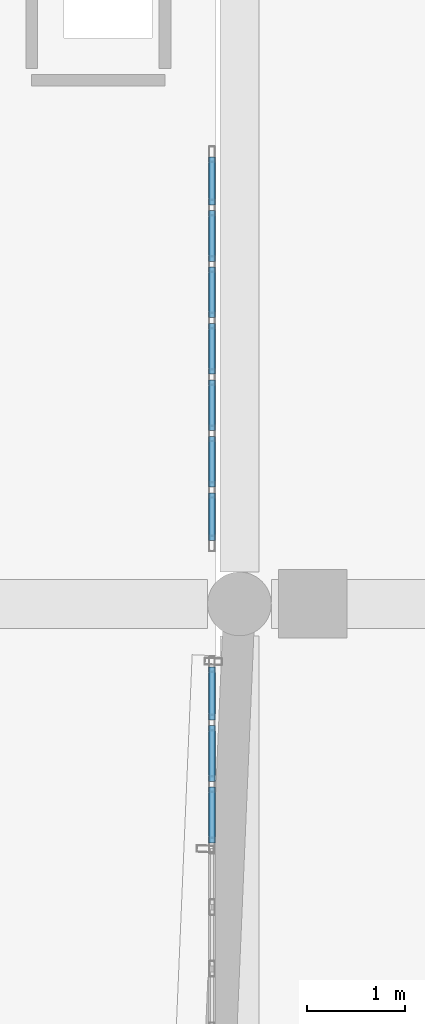
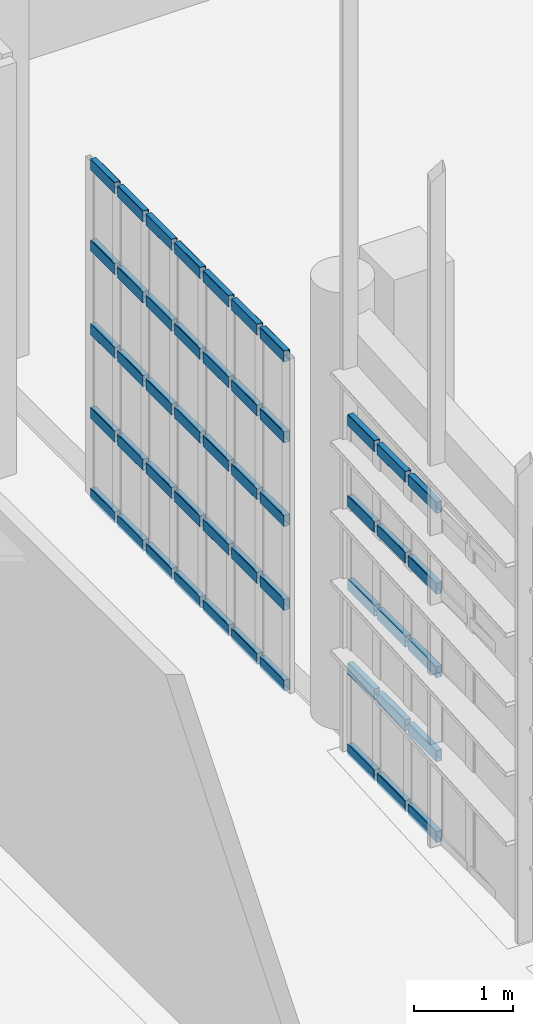
# One storey, part 309 of 372: 50 members, 2 elements without a shape of their own.
"""IFC4 building model written with IfcOpenShell, lengths in metres."""

from ifc_helpers import new_model, si_unit, direction, frame, origin, origin_2d, place, context, subcontext, project, spatial, hollow_rectangle, extrude, material, material_profile, profile_set, type_object, element, aggregate, save


model = new_model("IFC4")

# Units and contexts
model_context = context("Model", 3, precision=1e-05, world=origin(), true_north=direction((0.0, 1.0)))
body_context = subcontext(model_context, "Body", "Model", "MODEL_VIEW")
ifc_project = project(units=[si_unit("LENGTHUNIT", "METRE"), si_unit("AREAUNIT", "SQUARE_METRE"), si_unit("VOLUMEUNIT", "CUBIC_METRE"), si_unit("PLANEANGLEUNIT", "RADIAN"), si_unit("MASSUNIT", "GRAM", prefix="KILO")], contexts=[model_context])

# Site, building, storey
site_placement = place(None, origin())
site = spatial("IfcSite", under=ifc_project, at=site_placement, CompositionType="ELEMENT")
building_placement = place(site_placement, origin())
building = spatial("IfcBuilding", under=site, at=building_placement, Name="Kaelora Sail Theatre", CompositionType="ELEMENT")
storey_placement = place(building_placement, origin())
storey = spatial("IfcBuildingStorey", under=building, at=storey_placement, Name="L00", CompositionType="ELEMENT", Elevation=0.0)

# Curtain wall, members
ifc_material_1 = material(Name="Anodised aluminium and solar-control low-E IGU", Category="aluminium")
curtain_wall_type = type_object("IfcCurtainWallType", Name="ARC-CW-CW-FOY2", PredefinedType="NOTDEFINED", material=ifc_material_1)
curtain_wall_1_placement = place(storey_placement, origin())
curtain_wall_1 = element("IfcCurtainWall", 1, at=curtain_wall_1_placement, inside=storey, type_object=curtain_wall_type, Name="East Interstitial Foyer East Glazed Return L00-03", PredefinedType="NOTDEFINED")
ifc_material_2 = material(Name="Anodised aluminium 6063-T6", Category="aluminium")
ifc_material_profile = material_profile(ifc_material_2, hollow_rectangle(XDim=0.070068359375, YDim=0.139892578125, WallThickness=0.00390625, InnerFilletRadius=0.00390625, OuterFilletRadius=0.008056640625, at=origin_2d()), Name="ALU-TRAN 70x140x4")
ifc_profile_set = profile_set([ifc_material_profile], Name="Anodised aluminium 6063-T6")
member_type = type_object("IfcMemberType", Name="ARC-MEM-TR-140", PredefinedType="USERDEFINED", material=ifc_profile_set)
member_1_placement = place(storey_placement, frame((122.719970703125, 51.141357421875, 0.034912109375), z_axis=(0.0, 1.0, 0.0), x_axis=(-1.0, 0.0, 0.0)))
member_1 = element("IfcMember", 2, at=member_1_placement, type_object=member_type, Name="CW-FOY2 transom 5.1", ObjectType="TRANSOM", PredefinedType="USERDEFINED", context=body_context, shape_type="SweptSolid", body=[
    extrude(hollow_rectangle(XDim=0.070068359375, YDim=0.139892578125, WallThickness=0.00390625, InnerFilletRadius=0.00390625, OuterFilletRadius=0.008056640625, at=origin_2d()), origin(), (0.0, 0.0, 1.0), 0.56787109375),
])
member_2_placement = place(storey_placement, frame((122.719970703125, 51.141357421875, 1.0341796875), z_axis=(0.0, 1.0, 0.0), x_axis=(-1.0, 0.0, 0.0)))
member_2 = element("IfcMember", 3, at=member_2_placement, type_object=member_type, Name="CW-FOY2 transom 5.2", ObjectType="TRANSOM", PredefinedType="USERDEFINED", context=body_context, shape_type="SweptSolid", body=[
    extrude(hollow_rectangle(XDim=0.070068359375, YDim=0.139892578125, WallThickness=0.00390625, InnerFilletRadius=0.00390625, OuterFilletRadius=0.008056640625, at=origin_2d()), origin(), (0.0, 0.0, 1.0), 0.56787109375),
])
member_3_placement = place(storey_placement, frame((122.719970703125, 51.141357421875, 2.068603515625), z_axis=(0.0, 1.0, 0.0), x_axis=(-1.0, 0.0, 0.0)))
member_3 = element("IfcMember", 4, at=member_3_placement, type_object=member_type, Name="CW-FOY2 transom 5.3", ObjectType="TRANSOM", PredefinedType="USERDEFINED", context=body_context, shape_type="SweptSolid", body=[
    extrude(hollow_rectangle(XDim=0.070068359375, YDim=0.139892578125, WallThickness=0.00390625, InnerFilletRadius=0.00390625, OuterFilletRadius=0.008056640625, at=origin_2d()), origin(), (0.0, 0.0, 1.0), 0.56787109375),
])
member_4_placement = place(storey_placement, frame((122.719970703125, 51.141357421875, 3.102783203125), z_axis=(0.0, 1.0, 0.0), x_axis=(-1.0, 0.0, 0.0)))
member_4 = element("IfcMember", 5, at=member_4_placement, type_object=member_type, Name="CW-FOY2 transom 5.4", ObjectType="TRANSOM", PredefinedType="USERDEFINED", context=body_context, shape_type="SweptSolid", body=[
    extrude(hollow_rectangle(XDim=0.070068359375, YDim=0.139892578125, WallThickness=0.00390625, InnerFilletRadius=0.00390625, OuterFilletRadius=0.008056640625, at=origin_2d()), origin(), (0.0, 0.0, 1.0), 0.56787109375),
])
member_5_placement = place(storey_placement, frame((122.719970703125, 51.141357421875, 4.10205078125), z_axis=(0.0, 1.0, 0.0), x_axis=(-1.0, 0.0, 0.0)))
member_5 = element("IfcMember", 6, at=member_5_placement, type_object=member_type, Name="CW-FOY2 transom 5.5", ObjectType="TRANSOM", PredefinedType="USERDEFINED", context=body_context, shape_type="SweptSolid", body=[
    extrude(hollow_rectangle(XDim=0.070068359375, YDim=0.139892578125, WallThickness=0.00390625, InnerFilletRadius=0.00390625, OuterFilletRadius=0.008056640625, at=origin_2d()), origin(), (0.0, 0.0, 1.0), 0.56787109375),
])
member_6_placement = place(storey_placement, frame((122.719970703125, 51.769287109375, 0.034912109375), z_axis=(0.0, 1.0, 0.0), x_axis=(-1.0, 0.0, 0.0)))
member_6 = element("IfcMember", 7, at=member_6_placement, type_object=member_type, Name="CW-FOY2 transom 6.1", ObjectType="TRANSOM", PredefinedType="USERDEFINED", context=body_context, shape_type="SweptSolid", body=[
    extrude(hollow_rectangle(XDim=0.070068359375, YDim=0.139892578125, WallThickness=0.00390625, InnerFilletRadius=0.00390625, OuterFilletRadius=0.008056640625, at=origin_2d()), origin(), (0.0, 0.0, 1.0), 0.56787109375),
])
member_7_placement = place(storey_placement, frame((122.719970703125, 51.769287109375, 1.0341796875), z_axis=(0.0, 1.0, 0.0), x_axis=(-1.0, 0.0, 0.0)))
member_7 = element("IfcMember", 8, at=member_7_placement, type_object=member_type, Name="CW-FOY2 transom 6.2", ObjectType="TRANSOM", PredefinedType="USERDEFINED", context=body_context, shape_type="SweptSolid", body=[
    extrude(hollow_rectangle(XDim=0.070068359375, YDim=0.139892578125, WallThickness=0.00390625, InnerFilletRadius=0.00390625, OuterFilletRadius=0.008056640625, at=origin_2d()), origin(), (0.0, 0.0, 1.0), 0.56787109375),
])
member_8_placement = place(storey_placement, frame((122.719970703125, 51.769287109375, 2.068603515625), z_axis=(0.0, 1.0, 0.0), x_axis=(-1.0, 0.0, 0.0)))
member_8 = element("IfcMember", 9, at=member_8_placement, type_object=member_type, Name="CW-FOY2 transom 6.3", ObjectType="TRANSOM", PredefinedType="USERDEFINED", context=body_context, shape_type="SweptSolid", body=[
    extrude(hollow_rectangle(XDim=0.070068359375, YDim=0.139892578125, WallThickness=0.00390625, InnerFilletRadius=0.00390625, OuterFilletRadius=0.008056640625, at=origin_2d()), origin(), (0.0, 0.0, 1.0), 0.56787109375),
])
member_9_placement = place(storey_placement, frame((122.719970703125, 51.769287109375, 3.102783203125), z_axis=(0.0, 1.0, 0.0), x_axis=(-1.0, 0.0, 0.0)))
member_9 = element("IfcMember", 10, at=member_9_placement, type_object=member_type, Name="CW-FOY2 transom 6.4", ObjectType="TRANSOM", PredefinedType="USERDEFINED", context=body_context, shape_type="SweptSolid", body=[
    extrude(hollow_rectangle(XDim=0.070068359375, YDim=0.139892578125, WallThickness=0.00390625, InnerFilletRadius=0.00390625, OuterFilletRadius=0.008056640625, at=origin_2d()), origin(), (0.0, 0.0, 1.0), 0.56787109375),
])
member_10_placement = place(storey_placement, frame((122.719970703125, 51.769287109375, 4.10205078125), z_axis=(0.0, 1.0, 0.0), x_axis=(-1.0, 0.0, 0.0)))
member_10 = element("IfcMember", 11, at=member_10_placement, type_object=member_type, Name="CW-FOY2 transom 6.5", ObjectType="TRANSOM", PredefinedType="USERDEFINED", context=body_context, shape_type="SweptSolid", body=[
    extrude(hollow_rectangle(XDim=0.070068359375, YDim=0.139892578125, WallThickness=0.00390625, InnerFilletRadius=0.00390625, OuterFilletRadius=0.008056640625, at=origin_2d()), origin(), (0.0, 0.0, 1.0), 0.56787109375),
])
member_11_placement = place(storey_placement, frame((122.719970703125, 52.397216796875, 0.034912109375), z_axis=(0.0, 1.0, 0.0), x_axis=(-1.0, 0.0, 0.0)))
member_11 = element("IfcMember", 12, at=member_11_placement, type_object=member_type, Name="CW-FOY2 transom 7.1", ObjectType="TRANSOM", PredefinedType="USERDEFINED", context=body_context, shape_type="SweptSolid", body=[
    extrude(hollow_rectangle(XDim=0.070068359375, YDim=0.139892578125, WallThickness=0.00390625, InnerFilletRadius=0.00390625, OuterFilletRadius=0.008056640625, at=origin_2d()), origin(), (0.0, 0.0, 1.0), 0.537841796875),
])
member_12_placement = place(storey_placement, frame((122.719970703125, 52.397216796875, 1.0341796875), z_axis=(0.0, 1.0, 0.0), x_axis=(-1.0, 0.0, 0.0)))
member_12 = element("IfcMember", 13, at=member_12_placement, type_object=member_type, Name="CW-FOY2 transom 7.2", ObjectType="TRANSOM", PredefinedType="USERDEFINED", context=body_context, shape_type="SweptSolid", body=[
    extrude(hollow_rectangle(XDim=0.070068359375, YDim=0.139892578125, WallThickness=0.00390625, InnerFilletRadius=0.00390625, OuterFilletRadius=0.008056640625, at=origin_2d()), origin(), (0.0, 0.0, 1.0), 0.537841796875),
])
member_13_placement = place(storey_placement, frame((122.719970703125, 52.397216796875, 2.068603515625), z_axis=(0.0, 1.0, 0.0), x_axis=(-1.0, 0.0, 0.0)))
member_13 = element("IfcMember", 14, at=member_13_placement, type_object=member_type, Name="CW-FOY2 transom 7.3", ObjectType="TRANSOM", PredefinedType="USERDEFINED", context=body_context, shape_type="SweptSolid", body=[
    extrude(hollow_rectangle(XDim=0.070068359375, YDim=0.139892578125, WallThickness=0.00390625, InnerFilletRadius=0.00390625, OuterFilletRadius=0.008056640625, at=origin_2d()), origin(), (0.0, 0.0, 1.0), 0.537841796875),
])
member_14_placement = place(storey_placement, frame((122.719970703125, 52.397216796875, 3.102783203125), z_axis=(0.0, 1.0, 0.0), x_axis=(-1.0, 0.0, 0.0)))
member_14 = element("IfcMember", 15, at=member_14_placement, type_object=member_type, Name="CW-FOY2 transom 7.4", ObjectType="TRANSOM", PredefinedType="USERDEFINED", context=body_context, shape_type="SweptSolid", body=[
    extrude(hollow_rectangle(XDim=0.070068359375, YDim=0.139892578125, WallThickness=0.00390625, InnerFilletRadius=0.00390625, OuterFilletRadius=0.008056640625, at=origin_2d()), origin(), (0.0, 0.0, 1.0), 0.537841796875),
])
member_15_placement = place(storey_placement, frame((122.719970703125, 52.397216796875, 4.10205078125), z_axis=(0.0, 1.0, 0.0), x_axis=(-1.0, 0.0, 0.0)))
member_15 = element("IfcMember", 16, at=member_15_placement, type_object=member_type, Name="CW-FOY2 transom 7.5", ObjectType="TRANSOM", PredefinedType="USERDEFINED", context=body_context, shape_type="SweptSolid", body=[
    extrude(hollow_rectangle(XDim=0.070068359375, YDim=0.139892578125, WallThickness=0.00390625, InnerFilletRadius=0.00390625, OuterFilletRadius=0.008056640625, at=origin_2d()), origin(), (0.0, 0.0, 1.0), 0.537841796875),
])
aggregate(curtain_wall_1, [member_1, member_2, member_3, member_4, member_5, member_6, member_7, member_8, member_9, member_10, member_11, member_12, member_13, member_14, member_15])

curtain_wall_2_placement = place(storey_placement, origin())
curtain_wall_2 = element("IfcCurtainWall", 17, at=curtain_wall_2_placement, inside=storey, type_object=curtain_wall_type, Name="East Interstitial Foyer East Glazed Return L00-04", PredefinedType="NOTDEFINED")
member_16_placement = place(storey_placement, frame((122.719970703125, 54.22509765625, 0.034912109375), z_axis=(0.0, 1.0, 0.0), x_axis=(-1.0, 0.0, 0.0)))
member_16 = element("IfcMember", 18, at=member_16_placement, type_object=member_type, Name="CW-FOY2 transom 1.1", ObjectType="TRANSOM", PredefinedType="USERDEFINED", context=body_context, shape_type="SweptSolid", body=[
    extrude(hollow_rectangle(XDim=0.070068359375, YDim=0.139892578125, WallThickness=0.00390625, InnerFilletRadius=0.00390625, OuterFilletRadius=0.008056640625, at=origin_2d()), origin(), (0.0, 0.0, 1.0), 0.486328125),
])
member_17_placement = place(storey_placement, frame((122.719970703125, 54.22509765625, 1.0341796875), z_axis=(0.0, 1.0, 0.0), x_axis=(-1.0, 0.0, 0.0)))
member_17 = element("IfcMember", 19, at=member_17_placement, type_object=member_type, Name="CW-FOY2 transom 1.2", ObjectType="TRANSOM", PredefinedType="USERDEFINED", context=body_context, shape_type="SweptSolid", body=[
    extrude(hollow_rectangle(XDim=0.070068359375, YDim=0.139892578125, WallThickness=0.00390625, InnerFilletRadius=0.00390625, OuterFilletRadius=0.008056640625, at=origin_2d()), origin(), (0.0, 0.0, 1.0), 0.486328125),
])
member_18_placement = place(storey_placement, frame((122.719970703125, 54.22509765625, 2.068603515625), z_axis=(0.0, 1.0, 0.0), x_axis=(-1.0, 0.0, 0.0)))
member_18 = element("IfcMember", 20, at=member_18_placement, type_object=member_type, Name="CW-FOY2 transom 1.3", ObjectType="TRANSOM", PredefinedType="USERDEFINED", context=body_context, shape_type="SweptSolid", body=[
    extrude(hollow_rectangle(XDim=0.070068359375, YDim=0.139892578125, WallThickness=0.00390625, InnerFilletRadius=0.00390625, OuterFilletRadius=0.008056640625, at=origin_2d()), origin(), (0.0, 0.0, 1.0), 0.486328125),
])
member_19_placement = place(storey_placement, frame((122.719970703125, 54.22509765625, 3.102783203125), z_axis=(0.0, 1.0, 0.0), x_axis=(-1.0, 0.0, 0.0)))
member_19 = element("IfcMember", 21, at=member_19_placement, type_object=member_type, Name="CW-FOY2 transom 1.4", ObjectType="TRANSOM", PredefinedType="USERDEFINED", context=body_context, shape_type="SweptSolid", body=[
    extrude(hollow_rectangle(XDim=0.070068359375, YDim=0.139892578125, WallThickness=0.00390625, InnerFilletRadius=0.00390625, OuterFilletRadius=0.008056640625, at=origin_2d()), origin(), (0.0, 0.0, 1.0), 0.486328125),
])
member_20_placement = place(storey_placement, frame((122.719970703125, 54.22509765625, 4.10205078125), z_axis=(0.0, 1.0, 0.0), x_axis=(-1.0, 0.0, 0.0)))
member_20 = element("IfcMember", 22, at=member_20_placement, type_object=member_type, Name="CW-FOY2 transom 1.5", ObjectType="TRANSOM", PredefinedType="USERDEFINED", context=body_context, shape_type="SweptSolid", body=[
    extrude(hollow_rectangle(XDim=0.070068359375, YDim=0.139892578125, WallThickness=0.00390625, InnerFilletRadius=0.00390625, OuterFilletRadius=0.008056640625, at=origin_2d()), origin(), (0.0, 0.0, 1.0), 0.486328125),
])
member_21_placement = place(storey_placement, frame((122.719970703125, 54.771484375, 0.034912109375), z_axis=(0.0, 1.0, 0.0), x_axis=(-1.0, 0.0, 0.0)))
member_21 = element("IfcMember", 23, at=member_21_placement, type_object=member_type, Name="CW-FOY2 transom 2.1", ObjectType="TRANSOM", PredefinedType="USERDEFINED", context=body_context, shape_type="SweptSolid", body=[
    extrude(hollow_rectangle(XDim=0.070068359375, YDim=0.139892578125, WallThickness=0.00390625, InnerFilletRadius=0.00390625, OuterFilletRadius=0.008056640625, at=origin_2d()), origin(), (0.0, 0.0, 1.0), 0.516357421875),
])
member_22_placement = place(storey_placement, frame((122.719970703125, 54.771484375, 1.0341796875), z_axis=(0.0, 1.0, 0.0), x_axis=(-1.0, 0.0, 0.0)))
member_22 = element("IfcMember", 24, at=member_22_placement, type_object=member_type, Name="CW-FOY2 transom 2.2", ObjectType="TRANSOM", PredefinedType="USERDEFINED", context=body_context, shape_type="SweptSolid", body=[
    extrude(hollow_rectangle(XDim=0.070068359375, YDim=0.139892578125, WallThickness=0.00390625, InnerFilletRadius=0.00390625, OuterFilletRadius=0.008056640625, at=origin_2d()), origin(), (0.0, 0.0, 1.0), 0.516357421875),
])
member_23_placement = place(storey_placement, frame((122.719970703125, 54.771484375, 2.068603515625), z_axis=(0.0, 1.0, 0.0), x_axis=(-1.0, 0.0, 0.0)))
member_23 = element("IfcMember", 25, at=member_23_placement, type_object=member_type, Name="CW-FOY2 transom 2.3", ObjectType="TRANSOM", PredefinedType="USERDEFINED", context=body_context, shape_type="SweptSolid", body=[
    extrude(hollow_rectangle(XDim=0.070068359375, YDim=0.139892578125, WallThickness=0.00390625, InnerFilletRadius=0.00390625, OuterFilletRadius=0.008056640625, at=origin_2d()), origin(), (0.0, 0.0, 1.0), 0.516357421875),
])
member_24_placement = place(storey_placement, frame((122.719970703125, 54.771484375, 3.102783203125), z_axis=(0.0, 1.0, 0.0), x_axis=(-1.0, 0.0, 0.0)))
member_24 = element("IfcMember", 26, at=member_24_placement, type_object=member_type, Name="CW-FOY2 transom 2.4", ObjectType="TRANSOM", PredefinedType="USERDEFINED", context=body_context, shape_type="SweptSolid", body=[
    extrude(hollow_rectangle(XDim=0.070068359375, YDim=0.139892578125, WallThickness=0.00390625, InnerFilletRadius=0.00390625, OuterFilletRadius=0.008056640625, at=origin_2d()), origin(), (0.0, 0.0, 1.0), 0.516357421875),
])
member_25_placement = place(storey_placement, frame((122.719970703125, 54.771484375, 4.10205078125), z_axis=(0.0, 1.0, 0.0), x_axis=(-1.0, 0.0, 0.0)))
member_25 = element("IfcMember", 27, at=member_25_placement, type_object=member_type, Name="CW-FOY2 transom 2.5", ObjectType="TRANSOM", PredefinedType="USERDEFINED", context=body_context, shape_type="SweptSolid", body=[
    extrude(hollow_rectangle(XDim=0.070068359375, YDim=0.139892578125, WallThickness=0.00390625, InnerFilletRadius=0.00390625, OuterFilletRadius=0.008056640625, at=origin_2d()), origin(), (0.0, 0.0, 1.0), 0.516357421875),
])
member_26_placement = place(storey_placement, frame((122.719970703125, 55.347900390625, 0.034912109375), z_axis=(0.0, 1.0, 0.0), x_axis=(-1.0, 0.0, 0.0)))
member_26 = element("IfcMember", 28, at=member_26_placement, type_object=member_type, Name="CW-FOY2 transom 3.1", ObjectType="TRANSOM", PredefinedType="USERDEFINED", context=body_context, shape_type="SweptSolid", body=[
    extrude(hollow_rectangle(XDim=0.070068359375, YDim=0.139892578125, WallThickness=0.00390625, InnerFilletRadius=0.00390625, OuterFilletRadius=0.008056640625, at=origin_2d()), origin(), (0.0, 0.0, 1.0), 0.516357421875),
])
member_27_placement = place(storey_placement, frame((122.719970703125, 55.347900390625, 1.0341796875), z_axis=(0.0, 1.0, 0.0), x_axis=(-1.0, 0.0, 0.0)))
member_27 = element("IfcMember", 29, at=member_27_placement, type_object=member_type, Name="CW-FOY2 transom 3.2", ObjectType="TRANSOM", PredefinedType="USERDEFINED", context=body_context, shape_type="SweptSolid", body=[
    extrude(hollow_rectangle(XDim=0.070068359375, YDim=0.139892578125, WallThickness=0.00390625, InnerFilletRadius=0.00390625, OuterFilletRadius=0.008056640625, at=origin_2d()), origin(), (0.0, 0.0, 1.0), 0.516357421875),
])
member_28_placement = place(storey_placement, frame((122.719970703125, 55.347900390625, 2.068603515625), z_axis=(0.0, 1.0, 0.0), x_axis=(-1.0, 0.0, 0.0)))
member_28 = element("IfcMember", 30, at=member_28_placement, type_object=member_type, Name="CW-FOY2 transom 3.3", ObjectType="TRANSOM", PredefinedType="USERDEFINED", context=body_context, shape_type="SweptSolid", body=[
    extrude(hollow_rectangle(XDim=0.070068359375, YDim=0.139892578125, WallThickness=0.00390625, InnerFilletRadius=0.00390625, OuterFilletRadius=0.008056640625, at=origin_2d()), origin(), (0.0, 0.0, 1.0), 0.516357421875),
])
member_29_placement = place(storey_placement, frame((122.719970703125, 55.347900390625, 3.102783203125), z_axis=(0.0, 1.0, 0.0), x_axis=(-1.0, 0.0, 0.0)))
member_29 = element("IfcMember", 31, at=member_29_placement, type_object=member_type, Name="CW-FOY2 transom 3.4", ObjectType="TRANSOM", PredefinedType="USERDEFINED", context=body_context, shape_type="SweptSolid", body=[
    extrude(hollow_rectangle(XDim=0.070068359375, YDim=0.139892578125, WallThickness=0.00390625, InnerFilletRadius=0.00390625, OuterFilletRadius=0.008056640625, at=origin_2d()), origin(), (0.0, 0.0, 1.0), 0.516357421875),
])
member_30_placement = place(storey_placement, frame((122.719970703125, 55.347900390625, 4.10205078125), z_axis=(0.0, 1.0, 0.0), x_axis=(-1.0, 0.0, 0.0)))
member_30 = element("IfcMember", 32, at=member_30_placement, type_object=member_type, Name="CW-FOY2 transom 3.5", ObjectType="TRANSOM", PredefinedType="USERDEFINED", context=body_context, shape_type="SweptSolid", body=[
    extrude(hollow_rectangle(XDim=0.070068359375, YDim=0.139892578125, WallThickness=0.00390625, InnerFilletRadius=0.00390625, OuterFilletRadius=0.008056640625, at=origin_2d()), origin(), (0.0, 0.0, 1.0), 0.516357421875),
])
member_31_placement = place(storey_placement, frame((122.719970703125, 55.92431640625, 0.034912109375), z_axis=(0.0, 1.0, 0.0), x_axis=(-1.0, 0.0, 0.0)))
member_31 = element("IfcMember", 33, at=member_31_placement, type_object=member_type, Name="CW-FOY2 transom 4.1", ObjectType="TRANSOM", PredefinedType="USERDEFINED", context=body_context, shape_type="SweptSolid", body=[
    extrude(hollow_rectangle(XDim=0.070068359375, YDim=0.139892578125, WallThickness=0.00390625, InnerFilletRadius=0.00390625, OuterFilletRadius=0.008056640625, at=origin_2d()), origin(), (0.0, 0.0, 1.0), 0.516357421875),
])
member_32_placement = place(storey_placement, frame((122.719970703125, 55.92431640625, 1.0341796875), z_axis=(0.0, 1.0, 0.0), x_axis=(-1.0, 0.0, 0.0)))
member_32 = element("IfcMember", 34, at=member_32_placement, type_object=member_type, Name="CW-FOY2 transom 4.2", ObjectType="TRANSOM", PredefinedType="USERDEFINED", context=body_context, shape_type="SweptSolid", body=[
    extrude(hollow_rectangle(XDim=0.070068359375, YDim=0.139892578125, WallThickness=0.00390625, InnerFilletRadius=0.00390625, OuterFilletRadius=0.008056640625, at=origin_2d()), origin(), (0.0, 0.0, 1.0), 0.516357421875),
])
member_33_placement = place(storey_placement, frame((122.719970703125, 55.92431640625, 2.068603515625), z_axis=(0.0, 1.0, 0.0), x_axis=(-1.0, 0.0, 0.0)))
member_33 = element("IfcMember", 35, at=member_33_placement, type_object=member_type, Name="CW-FOY2 transom 4.3", ObjectType="TRANSOM", PredefinedType="USERDEFINED", context=body_context, shape_type="SweptSolid", body=[
    extrude(hollow_rectangle(XDim=0.070068359375, YDim=0.139892578125, WallThickness=0.00390625, InnerFilletRadius=0.00390625, OuterFilletRadius=0.008056640625, at=origin_2d()), origin(), (0.0, 0.0, 1.0), 0.516357421875),
])
member_34_placement = place(storey_placement, frame((122.719970703125, 55.92431640625, 3.102783203125), z_axis=(0.0, 1.0, 0.0), x_axis=(-1.0, 0.0, 0.0)))
member_34 = element("IfcMember", 36, at=member_34_placement, type_object=member_type, Name="CW-FOY2 transom 4.4", ObjectType="TRANSOM", PredefinedType="USERDEFINED", context=body_context, shape_type="SweptSolid", body=[
    extrude(hollow_rectangle(XDim=0.070068359375, YDim=0.139892578125, WallThickness=0.00390625, InnerFilletRadius=0.00390625, OuterFilletRadius=0.008056640625, at=origin_2d()), origin(), (0.0, 0.0, 1.0), 0.516357421875),
])
member_35_placement = place(storey_placement, frame((122.719970703125, 55.92431640625, 4.10205078125), z_axis=(0.0, 1.0, 0.0), x_axis=(-1.0, 0.0, 0.0)))
member_35 = element("IfcMember", 37, at=member_35_placement, type_object=member_type, Name="CW-FOY2 transom 4.5", ObjectType="TRANSOM", PredefinedType="USERDEFINED", context=body_context, shape_type="SweptSolid", body=[
    extrude(hollow_rectangle(XDim=0.070068359375, YDim=0.139892578125, WallThickness=0.00390625, InnerFilletRadius=0.00390625, OuterFilletRadius=0.008056640625, at=origin_2d()), origin(), (0.0, 0.0, 1.0), 0.516357421875),
])
member_36_placement = place(storey_placement, frame((122.719970703125, 56.500732421875, 0.034912109375), z_axis=(0.0, 1.0, 0.0), x_axis=(-1.0, 0.0, 0.0)))
member_36 = element("IfcMember", 38, at=member_36_placement, type_object=member_type, Name="CW-FOY2 transom 5.1", ObjectType="TRANSOM", PredefinedType="USERDEFINED", context=body_context, shape_type="SweptSolid", body=[
    extrude(hollow_rectangle(XDim=0.070068359375, YDim=0.139892578125, WallThickness=0.00390625, InnerFilletRadius=0.00390625, OuterFilletRadius=0.008056640625, at=origin_2d()), origin(), (0.0, 0.0, 1.0), 0.516357421875),
])
member_37_placement = place(storey_placement, frame((122.719970703125, 56.500732421875, 1.0341796875), z_axis=(0.0, 1.0, 0.0), x_axis=(-1.0, 0.0, 0.0)))
member_37 = element("IfcMember", 39, at=member_37_placement, type_object=member_type, Name="CW-FOY2 transom 5.2", ObjectType="TRANSOM", PredefinedType="USERDEFINED", context=body_context, shape_type="SweptSolid", body=[
    extrude(hollow_rectangle(XDim=0.070068359375, YDim=0.139892578125, WallThickness=0.00390625, InnerFilletRadius=0.00390625, OuterFilletRadius=0.008056640625, at=origin_2d()), origin(), (0.0, 0.0, 1.0), 0.516357421875),
])
member_38_placement = place(storey_placement, frame((122.719970703125, 56.500732421875, 2.068603515625), z_axis=(0.0, 1.0, 0.0), x_axis=(-1.0, 0.0, 0.0)))
member_38 = element("IfcMember", 40, at=member_38_placement, type_object=member_type, Name="CW-FOY2 transom 5.3", ObjectType="TRANSOM", PredefinedType="USERDEFINED", context=body_context, shape_type="SweptSolid", body=[
    extrude(hollow_rectangle(XDim=0.070068359375, YDim=0.139892578125, WallThickness=0.00390625, InnerFilletRadius=0.00390625, OuterFilletRadius=0.008056640625, at=origin_2d()), origin(), (0.0, 0.0, 1.0), 0.516357421875),
])
member_39_placement = place(storey_placement, frame((122.719970703125, 56.500732421875, 3.102783203125), z_axis=(0.0, 1.0, 0.0), x_axis=(-1.0, 0.0, 0.0)))
member_39 = element("IfcMember", 41, at=member_39_placement, type_object=member_type, Name="CW-FOY2 transom 5.4", ObjectType="TRANSOM", PredefinedType="USERDEFINED", context=body_context, shape_type="SweptSolid", body=[
    extrude(hollow_rectangle(XDim=0.070068359375, YDim=0.139892578125, WallThickness=0.00390625, InnerFilletRadius=0.00390625, OuterFilletRadius=0.008056640625, at=origin_2d()), origin(), (0.0, 0.0, 1.0), 0.516357421875),
])
member_40_placement = place(storey_placement, frame((122.719970703125, 56.500732421875, 4.10205078125), z_axis=(0.0, 1.0, 0.0), x_axis=(-1.0, 0.0, 0.0)))
member_40 = element("IfcMember", 42, at=member_40_placement, type_object=member_type, Name="CW-FOY2 transom 5.5", ObjectType="TRANSOM", PredefinedType="USERDEFINED", context=body_context, shape_type="SweptSolid", body=[
    extrude(hollow_rectangle(XDim=0.070068359375, YDim=0.139892578125, WallThickness=0.00390625, InnerFilletRadius=0.00390625, OuterFilletRadius=0.008056640625, at=origin_2d()), origin(), (0.0, 0.0, 1.0), 0.516357421875),
])
member_41_placement = place(storey_placement, frame((122.719970703125, 57.0771484375, 0.034912109375), z_axis=(0.0, 1.0, 0.0), x_axis=(-1.0, 0.0, 0.0)))
member_41 = element("IfcMember", 43, at=member_41_placement, type_object=member_type, Name="CW-FOY2 transom 6.1", ObjectType="TRANSOM", PredefinedType="USERDEFINED", context=body_context, shape_type="SweptSolid", body=[
    extrude(hollow_rectangle(XDim=0.070068359375, YDim=0.139892578125, WallThickness=0.00390625, InnerFilletRadius=0.00390625, OuterFilletRadius=0.008056640625, at=origin_2d()), origin(), (0.0, 0.0, 1.0), 0.516357421875),
])
member_42_placement = place(storey_placement, frame((122.719970703125, 57.0771484375, 1.0341796875), z_axis=(0.0, 1.0, 0.0), x_axis=(-1.0, 0.0, 0.0)))
member_42 = element("IfcMember", 44, at=member_42_placement, type_object=member_type, Name="CW-FOY2 transom 6.2", ObjectType="TRANSOM", PredefinedType="USERDEFINED", context=body_context, shape_type="SweptSolid", body=[
    extrude(hollow_rectangle(XDim=0.070068359375, YDim=0.139892578125, WallThickness=0.00390625, InnerFilletRadius=0.00390625, OuterFilletRadius=0.008056640625, at=origin_2d()), origin(), (0.0, 0.0, 1.0), 0.516357421875),
])
member_43_placement = place(storey_placement, frame((122.719970703125, 57.0771484375, 2.068603515625), z_axis=(0.0, 1.0, 0.0), x_axis=(-1.0, 0.0, 0.0)))
member_43 = element("IfcMember", 45, at=member_43_placement, type_object=member_type, Name="CW-FOY2 transom 6.3", ObjectType="TRANSOM", PredefinedType="USERDEFINED", context=body_context, shape_type="SweptSolid", body=[
    extrude(hollow_rectangle(XDim=0.070068359375, YDim=0.139892578125, WallThickness=0.00390625, InnerFilletRadius=0.00390625, OuterFilletRadius=0.008056640625, at=origin_2d()), origin(), (0.0, 0.0, 1.0), 0.516357421875),
])
member_44_placement = place(storey_placement, frame((122.719970703125, 57.0771484375, 3.102783203125), z_axis=(0.0, 1.0, 0.0), x_axis=(-1.0, 0.0, 0.0)))
member_44 = element("IfcMember", 46, at=member_44_placement, type_object=member_type, Name="CW-FOY2 transom 6.4", ObjectType="TRANSOM", PredefinedType="USERDEFINED", context=body_context, shape_type="SweptSolid", body=[
    extrude(hollow_rectangle(XDim=0.070068359375, YDim=0.139892578125, WallThickness=0.00390625, InnerFilletRadius=0.00390625, OuterFilletRadius=0.008056640625, at=origin_2d()), origin(), (0.0, 0.0, 1.0), 0.516357421875),
])
member_45_placement = place(storey_placement, frame((122.719970703125, 57.0771484375, 4.10205078125), z_axis=(0.0, 1.0, 0.0), x_axis=(-1.0, 0.0, 0.0)))
member_45 = element("IfcMember", 47, at=member_45_placement, type_object=member_type, Name="CW-FOY2 transom 6.5", ObjectType="TRANSOM", PredefinedType="USERDEFINED", context=body_context, shape_type="SweptSolid", body=[
    extrude(hollow_rectangle(XDim=0.070068359375, YDim=0.139892578125, WallThickness=0.00390625, InnerFilletRadius=0.00390625, OuterFilletRadius=0.008056640625, at=origin_2d()), origin(), (0.0, 0.0, 1.0), 0.516357421875),
])
member_46_placement = place(storey_placement, frame((122.719970703125, 57.653564453125, 0.034912109375), z_axis=(0.0, 1.0, 0.0), x_axis=(-1.0, 0.0, 0.0)))
member_46 = element("IfcMember", 48, at=member_46_placement, type_object=member_type, Name="CW-FOY2 transom 7.1", ObjectType="TRANSOM", PredefinedType="USERDEFINED", context=body_context, shape_type="SweptSolid", body=[
    extrude(hollow_rectangle(XDim=0.070068359375, YDim=0.139892578125, WallThickness=0.00390625, InnerFilletRadius=0.00390625, OuterFilletRadius=0.008056640625, at=origin_2d()), origin(), (0.0, 0.0, 1.0), 0.486328125),
])
member_47_placement = place(storey_placement, frame((122.719970703125, 57.653564453125, 1.0341796875), z_axis=(0.0, 1.0, 0.0), x_axis=(-1.0, 0.0, 0.0)))
member_47 = element("IfcMember", 49, at=member_47_placement, type_object=member_type, Name="CW-FOY2 transom 7.2", ObjectType="TRANSOM", PredefinedType="USERDEFINED", context=body_context, shape_type="SweptSolid", body=[
    extrude(hollow_rectangle(XDim=0.070068359375, YDim=0.139892578125, WallThickness=0.00390625, InnerFilletRadius=0.00390625, OuterFilletRadius=0.008056640625, at=origin_2d()), origin(), (0.0, 0.0, 1.0), 0.486328125),
])
member_48_placement = place(storey_placement, frame((122.719970703125, 57.653564453125, 2.068603515625), z_axis=(0.0, 1.0, 0.0), x_axis=(-1.0, 0.0, 0.0)))
member_48 = element("IfcMember", 50, at=member_48_placement, type_object=member_type, Name="CW-FOY2 transom 7.3", ObjectType="TRANSOM", PredefinedType="USERDEFINED", context=body_context, shape_type="SweptSolid", body=[
    extrude(hollow_rectangle(XDim=0.070068359375, YDim=0.139892578125, WallThickness=0.00390625, InnerFilletRadius=0.00390625, OuterFilletRadius=0.008056640625, at=origin_2d()), origin(), (0.0, 0.0, 1.0), 0.486328125),
])
member_49_placement = place(storey_placement, frame((122.719970703125, 57.653564453125, 3.102783203125), z_axis=(0.0, 1.0, 0.0), x_axis=(-1.0, 0.0, 0.0)))
member_49 = element("IfcMember", 51, at=member_49_placement, type_object=member_type, Name="CW-FOY2 transom 7.4", ObjectType="TRANSOM", PredefinedType="USERDEFINED", context=body_context, shape_type="SweptSolid", body=[
    extrude(hollow_rectangle(XDim=0.070068359375, YDim=0.139892578125, WallThickness=0.00390625, InnerFilletRadius=0.00390625, OuterFilletRadius=0.008056640625, at=origin_2d()), origin(), (0.0, 0.0, 1.0), 0.486328125),
])
member_50_placement = place(storey_placement, frame((122.719970703125, 57.653564453125, 4.10205078125), z_axis=(0.0, 1.0, 0.0), x_axis=(-1.0, 0.0, 0.0)))
member_50 = element("IfcMember", 52, at=member_50_placement, type_object=member_type, Name="CW-FOY2 transom 7.5", ObjectType="TRANSOM", PredefinedType="USERDEFINED", context=body_context, shape_type="SweptSolid", body=[
    extrude(hollow_rectangle(XDim=0.070068359375, YDim=0.139892578125, WallThickness=0.00390625, InnerFilletRadius=0.00390625, OuterFilletRadius=0.008056640625, at=origin_2d()), origin(), (0.0, 0.0, 1.0), 0.486328125),
])
aggregate(curtain_wall_2, [member_16, member_17, member_18, member_19, member_20, member_21, member_22, member_23, member_24, member_25, member_26, member_27, member_28, member_29, member_30, member_31, member_32, member_33, member_34, member_35, member_36, member_37, member_38, member_39, member_40, member_41, member_42, member_43, member_44, member_45, member_46, member_47, member_48, member_49, member_50])

save(model, "model.ifc")
